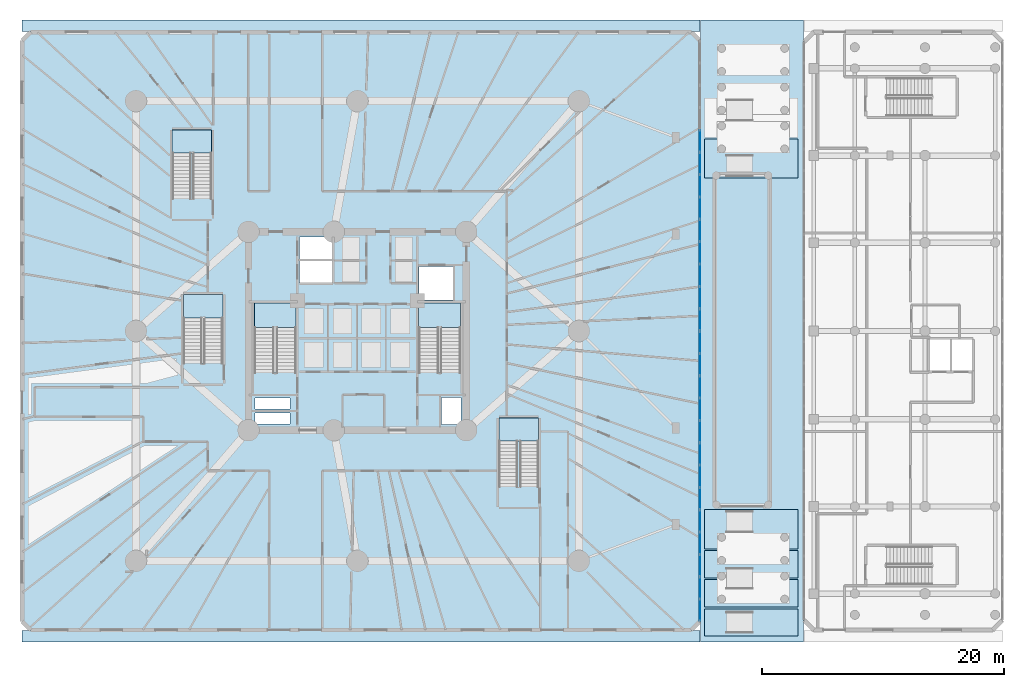
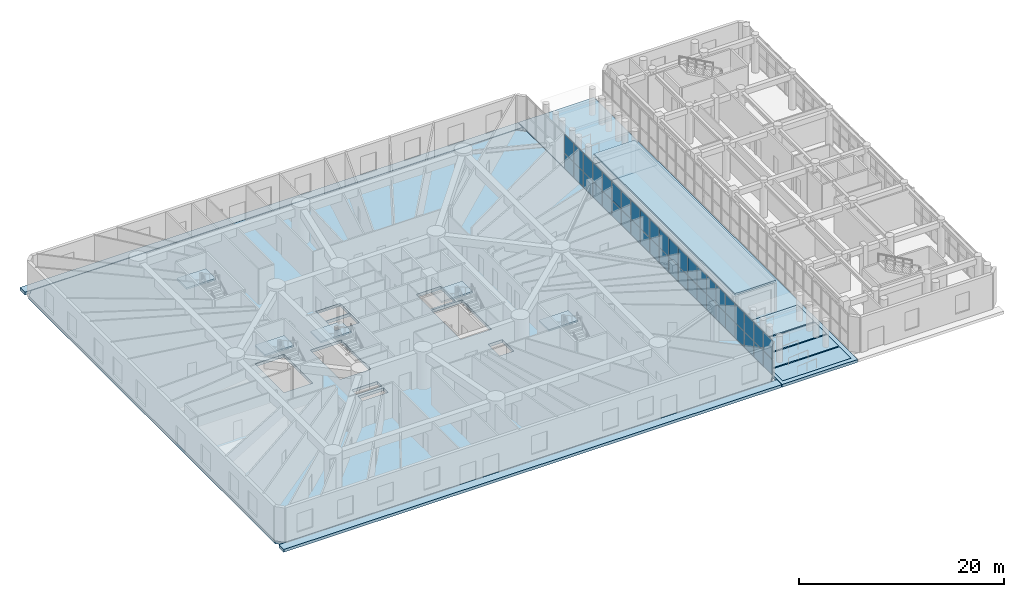
# One storey, part 10 of 30: 44 plates, 15 slabs, 7 elements without a shape of their own.
"""IFC4 building model written with IfcOpenShell, lengths in metres."""

import ifcopenshell
import ifcopenshell.guid

model = None  # the IFC model being written
_history = None  # IfcOwnerHistory: only IFC2X3 demands one
_inside = {}  # id of a spatial element -> (the spatial element, [elements in it])
_under = {}  # id of a project, library or spatial element -> (it, [spatial elements below it])
_declared = {}  # id of a project -> (the project, [libraries it declares])
_typed = {}  # id of a type object -> (the type object, [elements of that type])
_made_of = {}  # id of a material, layer set ... -> (it, [elements and type objects made of it])


def new_model(schema):
    """Start an empty IFC model of exactly this schema.

    Asked for "IFC4X3", IfcOpenShell would pick the latest addendum, in which some entities
    have other attributes; the version numbers below select the first issue.
    IFC2X3 requires an IfcOwnerHistory on every rooted entity: one is made here for all.
    """
    global model, _history
    if schema == "IFC4X3":
        model = ifcopenshell.file(schema_version=(4, 3, 0, 0))
    else:
        model = ifcopenshell.file(schema=schema)
    _inside.clear()
    _under.clear()
    _declared.clear()
    _typed.clear()
    _made_of.clear()
    _history = None
    if model.schema == "IFC2X3":
        org = make("IfcOrganization", Name="unknown")
        user = make(
            "IfcPersonAndOrganization",
            ThePerson=make("IfcPerson", FamilyName="unknown"),
            TheOrganization=org,
        )
        app = make(
            "IfcApplication",
            ApplicationDeveloper=org,
            Version="unknown",
            ApplicationFullName="unknown",
            ApplicationIdentifier="unknown",
        )
        _history = make(
            "IfcOwnerHistory",
            OwningUser=user,
            OwningApplication=app,
            ChangeAction="ADDED",
            CreationDate=0,
        )
    return model


def make(cls, **values):
    """One entity of the class cls with the attributes given. An attribute that is None is left unset."""
    return model.create_entity(
        cls, **{name: value for name, value in values.items() if value is not None}
    )


def rooted(cls, **values):
    """An entity with a GlobalId (a new one), such as an element, a storey or a relation."""
    return make(cls, GlobalId=ifcopenshell.guid.new(), OwnerHistory=_history, **values)


def si_unit(unit_type, name, prefix=None):
    """IfcSIUnit, for example si_unit("LENGTHUNIT", "METRE", prefix="MILLI")."""
    return make("IfcSIUnit", UnitType=unit_type, Prefix=prefix, Name=name)


def assignment(units):
    """IfcUnitAssignment: the units of a project."""
    return None if units is None else make("IfcUnitAssignment", Units=units)


def point(xyz):
    """IfcCartesianPoint."""
    return None if xyz is None else make("IfcCartesianPoint", Coordinates=xyz)


def direction(xyz):
    """IfcDirection."""
    return None if xyz is None else make("IfcDirection", DirectionRatios=xyz)


def frame(location, z_axis=None, x_axis=None):
    """IfcAxis2Placement3D, a coordinate frame: its origin and axes. An axis left out is left unset."""
    return make(
        "IfcAxis2Placement3D",
        Location=point(location),
        Axis=direction(z_axis),
        RefDirection=direction(x_axis),
    )


def frame_2d(location, x_axis=None):
    """IfcAxis2Placement2D, a coordinate frame in the plane: its origin and x axis."""
    return make(
        "IfcAxis2Placement2D", Location=point(location), RefDirection=direction(x_axis)
    )


def origin():
    """The frame at (0, 0, 0) with its axes left unset."""
    return frame((0.0, 0.0, 0.0))


def origin_with_axes():
    """The frame at (0, 0, 0) with the z axis (0, 0, 1) and the x axis (1, 0, 0) written out."""
    return frame((0.0, 0.0, 0.0), z_axis=(0.0, 0.0, 1.0), x_axis=(1.0, 0.0, 0.0))


def origin_2d():
    """The frame at (0, 0) in the plane with its x axis left unset."""
    return frame_2d((0.0, 0.0))


def place(relative_to, where):
    """IfcLocalPlacement: puts the frame where relative to a parent placement (None: the world)."""
    return make(
        "IfcLocalPlacement", PlacementRelTo=relative_to, RelativePlacement=where
    )


def context(
    kind, dimensions, precision=None, world=None, true_north=None, identifier=None
):
    """IfcGeometricRepresentationContext, for example the 3D "Model" context."""
    return make(
        "IfcGeometricRepresentationContext",
        ContextIdentifier=identifier,
        ContextType=kind,
        CoordinateSpaceDimension=dimensions,
        Precision=precision,
        WorldCoordinateSystem=world,
        TrueNorth=true_north,
    )


def subcontext(parent, identifier, kind, view, scale=None):
    """IfcGeometricRepresentationSubContext, for example "Body" below "Model"."""
    return make(
        "IfcGeometricRepresentationSubContext",
        ContextIdentifier=identifier,
        ContextType=kind,
        ParentContext=parent,
        TargetScale=scale,
        TargetView=view,
    )


def project(units=None, contexts=None):
    """IfcProject with its units and contexts."""
    return rooted(
        "IfcProject",
        Name="project",
        RepresentationContexts=contexts,
        UnitsInContext=assignment(units),
    )


def spatial(cls, under=None, at=None, **own):
    """A site, building, storey or space (cls), placed at a placement, below another one or the project."""
    s = rooted(cls, ObjectPlacement=at, **own)
    if under is not None:
        _under.setdefault(under.id(), (under, []))[1].append(s)
    return s


def polyline(points):
    """IfcPolyline through the points."""
    return make("IfcPolyline", Points=[point(p) for p in points])


def profile(cls, at=None, kind="AREA", **sizes):
    """A parametric profile (cls). Its sizes go by their IFC names, for example OverallWidth=200.0."""
    return make(cls, ProfileType=kind, Position=at, **sizes)


def rectangle(**sizes):
    """IfcRectangleProfileDef."""
    return profile("IfcRectangleProfileDef", **sizes)


def outline(outer, holes=None, kind="AREA"):
    """IfcArbitraryClosedProfileDef: a profile drawn as a closed curve; with holes, ...WithVoids."""
    if holes is None:
        return make("IfcArbitraryClosedProfileDef", ProfileType=kind, OuterCurve=outer)
    return make(
        "IfcArbitraryProfileDefWithVoids",
        ProfileType=kind,
        OuterCurve=outer,
        InnerCurves=holes,
    )


def extrude(swept, where, along, depth):
    """IfcExtrudedAreaSolid: the profile swept, set in the frame where, extruded along a direction by depth."""
    return make(
        "IfcExtrudedAreaSolid",
        SweptArea=swept,
        Position=where,
        ExtrudedDirection=direction(along),
        Depth=depth,
    )


def shape(context_of_items, identifier, shape_type, items):
    """IfcShapeRepresentation: the items that make up one representation, for example the "Body"."""
    return make(
        "IfcShapeRepresentation",
        ContextOfItems=context_of_items,
        RepresentationIdentifier=identifier,
        RepresentationType=shape_type,
        Items=items,
    )


def source(mapping_origin, context_of_items, identifier, shape_type, items):
    """IfcRepresentationMap: a shape defined once, which mapped items show again and again."""
    return make(
        "IfcRepresentationMap",
        MappingOrigin=mapping_origin,
        MappedRepresentation=shape(context_of_items, identifier, shape_type, items),
    )


def transform(
    local_origin,
    x_axis=None,
    y_axis=None,
    z_axis=None,
    scale=None,
    scale2=None,
    scale3=None,
    uniform=True,
):
    """IfcCartesianTransformationOperator3D, or its non-uniform kind. x_axis, y_axis, z_axis: its Axis1, 2, 3."""
    if uniform:
        return make(
            "IfcCartesianTransformationOperator3D",
            Axis1=direction(x_axis),
            Axis2=direction(y_axis),
            LocalOrigin=point(local_origin),
            Scale=scale,
            Axis3=direction(z_axis),
        )
    return make(
        "IfcCartesianTransformationOperator3DnonUniform",
        Axis1=direction(x_axis),
        Axis2=direction(y_axis),
        LocalOrigin=point(local_origin),
        Scale=scale,
        Axis3=direction(z_axis),
        Scale2=scale2,
        Scale3=scale3,
    )


def mapped(mapping_source, mapping_target):
    """IfcMappedItem: shows the shape of a source again, moved by a transform."""
    return make(
        "IfcMappedItem", MappingSource=mapping_source, MappingTarget=mapping_target
    )


def material(Name=None, Category=None):
    """IfcMaterial."""
    return make("IfcMaterial", Name=Name, Category=Category)


def layer(
    of_material, thickness, ventilated=None, Name=None, Category=None, Priority=None
):
    """IfcMaterialLayer: one layer of a wall or slab, of a material (None: an air gap)."""
    return make(
        "IfcMaterialLayer",
        Material=of_material,
        LayerThickness=thickness,
        IsVentilated=ventilated,
        Name=Name,
        Category=Category,
        Priority=Priority,
    )


def layer_set(layers, Name=None):
    """IfcMaterialLayerSet."""
    return make("IfcMaterialLayerSet", MaterialLayers=layers, LayerSetName=Name)


def made_of(thing, what):
    """Note that an element or type object is made of a material, layer set ...; save() writes the relation."""
    if what is not None:
        _made_of.setdefault(what.id(), (what, []))[1].append(thing)
    return thing


def type_object(cls, material=None, **own):
    """A type object (cls), such as IfcWallType, which elements share."""
    return made_of(rooted(cls, **own), material)


def element(
    cls,
    number,
    at=None,
    inside=None,
    cuts=None,
    type_object=None,
    material=None,
    context=None,
    identifier="Body",
    shape_type=None,
    held_by="IfcProductDefinitionShape",
    body=None,
    shapes=None,
    **own,
):
    """One element of the class cls, such as IfcWall. Its Tag is "e" and its number.

    at: its placement. inside: the storey or other place that contains it. cuts: it is an
    opening in that element (IfcRelVoidsElement). A single representation is given by context,
    identifier, shape_type and body (its items); several are given by shapes. held_by: the class
    of the entity that holds the representations. save() writes the other relations.
    """
    e = rooted(cls, Tag="e%d" % number, ObjectPlacement=at, **own)
    if body is not None:
        shapes = [shape(context, identifier, shape_type, body)]
    if shapes is not None:
        e.Representation = make(held_by, Representations=shapes)
    if inside is not None:
        _inside.setdefault(inside.id(), (inside, []))[1].append(e)
    if cuts is not None:
        rooted(
            "IfcRelVoidsElement", RelatingBuildingElement=cuts, RelatedOpeningElement=e
        )
    if type_object is not None:
        _typed.setdefault(type_object.id(), (type_object, []))[1].append(e)
    return made_of(e, material)


def aggregate(whole, parts):
    """IfcRelAggregates: a whole, such as a stair, and the parts it consists of."""
    return rooted("IfcRelAggregates", RelatingObject=whole, RelatedObjects=parts)


def save(model, path):
    """Write the relations noted so far, then the file.

    IfcRelAggregates (storeys below a building ...), IfcRelContainedInSpatialStructure (elements
    in a storey), IfcRelDefinesByType, IfcRelAssociatesMaterial and IfcRelDeclares: one each for
    every whole, place, type object, material and project.
    """
    for whole, parts in _under.values():
        aggregate(whole, parts)
    for where, things in _inside.values():
        rooted(
            "IfcRelContainedInSpatialStructure",
            RelatedElements=things,
            RelatingStructure=where,
        )
    for kind, things in _typed.values():
        rooted("IfcRelDefinesByType", RelatedObjects=things, RelatingType=kind)
    for what, things in _made_of.values():
        rooted("IfcRelAssociatesMaterial", RelatedObjects=things, RelatingMaterial=what)
    for by, libraries in _declared.values():
        rooted("IfcRelDeclares", RelatingContext=by, RelatedDefinitions=libraries)
    model.write(path)


model = new_model("IFC4")

# Units and contexts
model_context = context("Model", 3, precision=1e-05, world=origin(), true_north=direction((0.0, 1.0)))
body_context = subcontext(model_context, "Body", "Model", "MODEL_VIEW")
ifc_project = project(units=[si_unit("LENGTHUNIT", "METRE"), si_unit("AREAUNIT", "SQUARE_METRE"), si_unit("VOLUMEUNIT", "CUBIC_METRE"), si_unit("PLANEANGLEUNIT", "RADIAN"), si_unit("MASSUNIT", "GRAM", prefix="KILO")], contexts=[model_context])

# Site, building, storey
site_placement = place(None, origin())
site = spatial("IfcSite", under=ifc_project, at=site_placement, CompositionType="ELEMENT")
building_placement = place(site_placement, origin())
building = spatial("IfcBuilding", under=site, at=building_placement, Name="Karkom Vertical University and Central Library", CompositionType="ELEMENT")
storey_placement = place(building_placement, origin())
storey = spatial("IfcBuildingStorey", under=building, at=storey_placement, Name="L00", CompositionType="ELEMENT", Elevation=0.0)

# Stair, slab
ifc_material_1 = material(Name="Concrete C45/55", Category="concrete")
stair_type_1 = type_object("IfcStairType", Name="INT-STR-ST-MAIN", PredefinedType="HALF_TURN_STAIR", material=ifc_material_1)
stair_1_placement = place(storey_placement, origin())
stair_1 = element("IfcStair", 1, at=stair_1_placement, inside=storey, type_object=stair_type_1, Name="Level 00 Tower Protected Exit Stair ST-1", PredefinedType="HALF_TURN_STAIR")
ifc_layer_1 = layer(ifc_material_1, 0.199951171875)
ifc_layer_set_1 = layer_set([ifc_layer_1], Name="Concrete C45/55")
slab_type_1 = type_object("IfcSlabType", Name="INT-SLB-LANDING", PredefinedType="LANDING", material=ifc_layer_set_1)
slab_1_placement = place(storey_placement, frame((0.0, 0.0, 2.050048828125)))
slab_1 = element("IfcSlab", 2, at=slab_1_placement, type_object=slab_type_1, Name="ST-1 landing 1", PredefinedType="LANDING", context=body_context, shape_type="SweptSolid", body=[
    extrude(outline(polyline([(23.43994140625, 26.7900390625), (23.43994140625, 28.820068359375), (19.97998046875, 28.820068359375), (19.97998046875, 26.7900390625), (23.43994140625, 26.7900390625)])), origin(), (0.0, 0.0, 1.0), 0.199951171875),
])
aggregate(stair_1, [slab_1])

stair_2_placement = place(storey_placement, origin())
stair_2 = element("IfcStair", 3, at=stair_2_placement, inside=storey, type_object=stair_type_1, Name="Level 00 Tower Protected Exit Stair ST-2", PredefinedType="HALF_TURN_STAIR")
slab_2_placement = place(storey_placement, frame((0.0, 0.0, 2.050048828125)))
slab_2 = element("IfcSlab", 4, at=slab_2_placement, type_object=slab_type_1, Name="ST-2 landing 1", PredefinedType="LANDING", context=body_context, shape_type="SweptSolid", body=[
    extrude(outline(polyline([(37.02001953125, 26.7900390625), (37.02001953125, 28.820068359375), (33.56005859375, 28.820068359375), (33.56005859375, 26.7900390625), (37.02001953125, 26.7900390625)])), origin(), (0.0, 0.0, 1.0), 0.199951171875),
])
aggregate(stair_2, [slab_2])

stair_type_2 = type_object("IfcStairType", Name="INT-STR-ST-SEC", PredefinedType="HALF_TURN_STAIR", material=ifc_material_1)
stair_3_placement = place(storey_placement, origin())
stair_3 = element("IfcStair", 5, at=stair_3_placement, inside=storey, type_object=stair_type_2, Name="Level 00 Academic Zone Protected Exit Stair ST-3", PredefinedType="HALF_TURN_STAIR")
slab_3_placement = place(storey_placement, frame((0.0, 0.0, 2.050048828125)))
slab_3 = element("IfcSlab", 6, at=slab_3_placement, type_object=slab_type_1, Name="ST-3 landing 1", PredefinedType="LANDING", context=body_context, shape_type="SweptSolid", body=[
    extrude(outline(polyline([(17.3798828125, 27.570068359375), (17.3798828125, 29.5), (14.1201171875, 29.5), (14.1201171875, 27.570068359375), (17.3798828125, 27.570068359375)])), origin(), (0.0, 0.0, 1.0), 0.199951171875),
])
aggregate(stair_3, [slab_3])

stair_4_placement = place(storey_placement, origin())
stair_4 = element("IfcStair", 7, at=stair_4_placement, inside=storey, type_object=stair_type_2, Name="Level 00 Podium Terraced Feature Stair POD-ST1", PredefinedType="HALF_TURN_STAIR")
slab_4_placement = place(storey_placement, frame((0.0, 0.0, 2.050048828125)))
slab_4 = element("IfcSlab", 8, at=slab_4_placement, type_object=slab_type_1, Name="POD-ST1 landing 1", PredefinedType="LANDING", context=body_context, shape_type="SweptSolid", body=[
    extrude(outline(polyline([(43.4599609375, 17.39990234375), (43.4599609375, 19.330078125), (40.199951171875, 19.330078125), (40.199951171875, 17.39990234375), (43.4599609375, 17.39990234375)])), origin(), (0.0, 0.0, 1.0), 0.199951171875),
])
aggregate(stair_4, [slab_4])

stair_5_placement = place(storey_placement, origin())
stair_5 = element("IfcStair", 9, at=stair_5_placement, inside=storey, type_object=stair_type_2, Name="Level 00 Podium Gallery Stair POD-ST2", PredefinedType="HALF_TURN_STAIR")
slab_5_placement = place(storey_placement, frame((0.0, 0.0, 2.050048828125)))
slab_5 = element("IfcSlab", 10, at=slab_5_placement, type_object=slab_type_1, Name="POD-ST2 landing 1", PredefinedType="LANDING", context=body_context, shape_type="SweptSolid", body=[
    extrude(outline(polyline([(16.4599609375, 41.199951171875), (16.4599609375, 43.1298828125), (13.199951171875, 43.1298828125), (13.199951171875, 41.199951171875), (16.4599609375, 41.199951171875)])), origin(), (0.0, 0.0, 1.0), 0.199951171875),
])
aggregate(stair_5, [slab_5])

# Slabs
ifc_material_2 = material(Name="Concrete C40/50", Category="concrete")
ifc_layer_2 = layer(ifc_material_2, 0.344970703125)
ifc_layer_set_2 = layer_set([ifc_layer_2], Name="Concrete C40/50")
slab_type_2 = type_object("IfcSlabType", Name="STR-SLB-APR-180", PredefinedType="USERDEFINED", material=ifc_layer_set_2)
slab_6_placement = place(storey_placement, frame((0.0, 0.0, -0.344970703125)))
element("IfcSlab", 11, at=slab_6_placement, inside=storey, type_object=slab_type_2, Name="Level 00 Central Court Driveway Approach Slab 1", ObjectType="APPROACH SLAB", PredefinedType="USERDEFINED", context=body_context, shape_type="SweptSolid", body=[
    extrude(outline(polyline([(57.199951171875, 1.300048828125), (64.89990234375, 1.300048828125), (64.89990234375, 3.550048828125), (57.199951171875, 3.550048828125), (57.199951171875, 1.300048828125)])), origin(), (0.0, 0.0, 1.0), 0.344970703125),
])
slab_7_placement = place(storey_placement, frame((0.0, 0.0, -0.344970703125)))
element("IfcSlab", 12, at=slab_7_placement, inside=storey, type_object=slab_type_2, Name="Level 00 Central Court Driveway Approach Slab 2", ObjectType="APPROACH SLAB", PredefinedType="USERDEFINED", context=body_context, shape_type="SweptSolid", body=[
    extrude(outline(polyline([(57.199951171875, 3.699951171875), (64.89990234375, 3.699951171875), (64.89990234375, 5.949951171875), (57.199951171875, 5.949951171875), (57.199951171875, 3.699951171875)])), origin(), (0.0, 0.0, 1.0), 0.344970703125),
])
slab_8_placement = place(storey_placement, frame((0.0, 0.0, -0.344970703125)))
element("IfcSlab", 13, at=slab_8_placement, inside=storey, type_object=slab_type_2, Name="Level 00 Central Court Driveway Approach Slab 3", ObjectType="APPROACH SLAB", PredefinedType="USERDEFINED", context=body_context, shape_type="SweptSolid", body=[
    extrude(outline(polyline([(57.199951171875, 6.10009765625), (64.89990234375, 6.10009765625), (64.89990234375, 8.35009765625), (57.199951171875, 8.35009765625), (57.199951171875, 6.10009765625)])), origin(), (0.0, 0.0, 1.0), 0.344970703125),
])
slab_9_placement = place(storey_placement, frame((0.0, 0.0, -0.344970703125)))
element("IfcSlab", 14, at=slab_9_placement, inside=storey, type_object=slab_type_2, Name="Level 00 Central Court Driveway Approach Slab 4", ObjectType="APPROACH SLAB", PredefinedType="USERDEFINED", context=body_context, shape_type="SweptSolid", body=[
    extrude(outline(polyline([(57.199951171875, 8.5), (64.89990234375, 8.5), (64.89990234375, 11.75), (57.199951171875, 11.75), (57.199951171875, 8.5)])), origin(), (0.0, 0.0, 1.0), 0.344970703125),
])
slab_10_placement = place(storey_placement, frame((0.0, 0.0, -0.344970703125)))
element("IfcSlab", 15, at=slab_10_placement, inside=storey, type_object=slab_type_2, Name="Level 00 Central Court Driveway Approach Slab 5", ObjectType="APPROACH SLAB", PredefinedType="USERDEFINED", context=body_context, shape_type="SweptSolid", body=[
    extrude(outline(polyline([(57.199951171875, 39.14990234375), (64.89990234375, 39.14990234375), (64.89990234375, 42.35009765625), (57.199951171875, 42.35009765625), (57.199951171875, 39.14990234375)])), origin(), (0.0, 0.0, 1.0), 0.344970703125),
])
ifc_layer_3 = layer(ifc_material_1, 0.239990234375)
ifc_layer_set_3 = layer_set([ifc_layer_3], Name="Concrete C45/55")
slab_type_3 = type_object("IfcSlabType", Name="STR-SLB-CRN-240", PredefinedType="ROOF", material=ifc_layer_set_3)
slab_11_placement = place(storey_placement, frame((0.0, 0.0, 3.360107421875)))
element("IfcSlab", 16, at=slab_11_placement, inside=storey, type_object=slab_type_3, Name="Level 00 Car Park Ramp Pavilion Roof Slab", PredefinedType="ROOF", context=body_context, shape_type="SweptSolid", body=[
    extrude(outline(polyline([(58.0, 12.0), (62.60009765625, 12.0), (62.60009765625, 39.5), (58.0, 39.5), (58.0, 12.0)])), origin(), (0.0, 0.0, 1.0), 0.239990234375),
])
ifc_material_3 = material(Name="Concrete C50/60", Category="concrete")
ifc_layer_4 = layer(ifc_material_3, 0.35009765625)
ifc_layer_set_4 = layer_set([ifc_layer_4], Name="Concrete C50/60")
slab_type_4 = type_object("IfcSlabType", Name="STR-SLB-FLR-350", PredefinedType="FLOOR", material=ifc_layer_set_4)
slab_12_placement = place(storey_placement, frame((0.0, 0.0, -0.35009765625)))
element("IfcSlab", 17, at=slab_12_placement, inside=storey, type_object=slab_type_4, Name="Level 00 Tower Podium Floor Slab", PredefinedType="FLOOR", context=body_context, shape_type="SweptSolid", body=[
    extrude(outline(polyline([(1.5, 1.800048828125), (56.10009765625, 1.800048828125), (56.800048828125, 2.5), (56.800048828125, 50.5), (56.10009765625, 51.199951171875), (1.5, 51.199951171875), (0.800048828125, 50.5), (0.800048828125, 2.5), (1.5, 1.800048828125)]), holes=[polyline([(19.97998046875, 23.0849609375), (23.43994140625, 23.0849609375), (23.43994140625, 28.820068359375), (19.97998046875, 28.820068359375), (19.97998046875, 23.0849609375)]), polyline([(33.56005859375, 23.0849609375), (37.02001953125, 23.0849609375), (37.02001953125, 28.820068359375), (33.56005859375, 28.820068359375), (33.56005859375, 23.0849609375)]), polyline([(14.1201171875, 23.864990234375), (17.3798828125, 23.864990234375), (17.3798828125, 29.5), (14.1201171875, 29.5), (14.1201171875, 23.864990234375)]), polyline([(23.719970703125, 30.47998046875), (26.429931640625, 30.47998046875), (26.429931640625, 32.320068359375), (23.719970703125, 32.320068359375), (23.719970703125, 30.47998046875)]), polyline([(23.719970703125, 32.419921875), (26.429931640625, 32.419921875), (26.429931640625, 34.260009765625), (23.719970703125, 34.260009765625), (23.719970703125, 32.419921875)]), polyline([(33.60009765625, 29.050048828125), (36.39990234375, 29.050048828125), (36.39990234375, 31.85009765625), (33.60009765625, 31.85009765625), (33.60009765625, 29.050048828125)]), polyline([(20.050048828125, 18.820068359375), (22.949951171875, 18.820068359375), (22.949951171875, 19.719970703125), (20.050048828125, 19.719970703125), (20.050048828125, 18.820068359375)]), polyline([(20.050048828125, 20.06005859375), (22.949951171875, 20.06005859375), (22.949951171875, 20.9599609375), (20.050048828125, 20.9599609375), (20.050048828125, 20.06005859375)]), polyline([(35.4599609375, 18.760009765625), (37.0400390625, 18.760009765625), (37.0400390625, 21.010009765625), (35.4599609375, 21.010009765625), (35.4599609375, 18.760009765625)])]), origin(), (0.0, 0.0, 1.0), 0.35009765625),
])
ifc_layer_5 = layer(ifc_material_2, 0.340087890625)
ifc_layer_set_5 = layer_set([ifc_layer_5], Name="Concrete C40/50")
slab_type_5 = type_object("IfcSlabType", Name="STR-SLB-PAV-190", PredefinedType="USERDEFINED", material=ifc_layer_set_5)
slab_13_placement = place(storey_placement, frame((0.0, 0.0, -0.340087890625)))
element("IfcSlab", 18, at=slab_13_placement, inside=storey, type_object=slab_type_5, Name="Level 00 Campus Forecourt Stone Plaza PLAZA-CENTRAL-COURT", ObjectType="PAVING", PredefinedType="USERDEFINED", context=body_context, shape_type="SweptSolid", body=[
    extrude(outline(polyline([(56.85009765625, 0.800048828125), (56.85009765625, 52.199951171875), (65.35009765625, 52.199951171875), (65.35009765625, 0.800048828125), (56.85009765625, 0.800048828125)])), origin(), (0.0, 0.0, 1.0), 0.340087890625),
])
slab_14_placement = place(storey_placement, frame((0.0, 0.0, -0.340087890625)))
element("IfcSlab", 19, at=slab_14_placement, inside=storey, type_object=slab_type_5, Name="Level 00 Campus Forecourt Stone Plaza PLAZA-SOUTH-FORECOURT", ObjectType="PAVING", PredefinedType="USERDEFINED", context=body_context, shape_type="SweptSolid", body=[
    extrude(outline(polyline([(56.800048828125, 1.760009765625), (56.800048828125, 0.800048828125), (0.800048828125, 0.800048828125), (0.800048828125, 1.760009765625), (1.4833984375, 1.760009765625), (56.11669921875, 1.760009765625), (56.800048828125, 1.760009765625)])), origin(), (0.0, 0.0, 1.0), 0.340087890625),
])
slab_15_placement = place(storey_placement, frame((0.0, 0.0, -0.340087890625)))
element("IfcSlab", 20, at=slab_15_placement, inside=storey, type_object=slab_type_5, Name="Level 00 Campus Forecourt Stone Plaza PLAZA-NORTH-TOWER", ObjectType="PAVING", PredefinedType="USERDEFINED", context=body_context, shape_type="SweptSolid", body=[
    extrude(outline(polyline([(0.800048828125, 51.239990234375), (0.800048828125, 52.199951171875), (56.800048828125, 52.199951171875), (56.800048828125, 51.239990234375), (56.11669921875, 51.239990234375), (1.4833984375, 51.239990234375), (0.800048828125, 51.239990234375)])), origin(), (0.0, 0.0, 1.0), 0.340087890625),
])

# Curtain wall, plates
ifc_material_4 = material(Name="Aluminium curtain-wall framing and low-E IGU", Category="aluminium")
ifc_layer_6 = layer(ifc_material_4, 0.199951171875)
ifc_layer_set_6 = layer_set([ifc_layer_6], Name="Aluminium curtain-wall framing and low-E IGU")
curtain_wall_type = type_object("IfcCurtainWallType", Name="ENV-CW-3", PredefinedType="USERDEFINED", material=ifc_layer_set_6)
curtain_wall_1_placement = place(storey_placement, origin())
curtain_wall_1 = element("IfcCurtainWall", 21, at=curtain_wall_1_placement, inside=storey, type_object=curtain_wall_type, Name="Level 00 CW-3 Curtain Wall L00-CW3-3-1", ObjectType="STICK MULLION GLAZING", PredefinedType="USERDEFINED")
ifc_material_5 = material(Name="Solar-control low-E double glazing 32mm", Category="glass")
ifc_layer_7 = layer(ifc_material_5, 0.031982421875)
ifc_layer_set_7 = layer_set([ifc_layer_7], Name="Solar-control low-E double glazing 32mm")
plate_type = type_object("IfcPlateType", Name="ENV-PLT-GLZ-32", PredefinedType="CURTAIN_PANEL", material=ifc_layer_set_7)
shared_shape_1 = source(origin_with_axes(), body_context, "Body", "SweptSolid", [
    extrude(rectangle(XDim=1.733642578125, YDim=0.031982421875, at=origin_2d()), origin(), (0.0, 0.0, 1.0), 1.777587890625),
])
plate_1_placement = place(storey_placement, frame((56.800048828125, 3.44189453125, 0.0751953125), z_axis=(0.0, 0.0, 1.0), x_axis=(0.0, 1.0, 0.0)))
plate_1 = element("IfcPlate", 22, at=plate_1_placement, type_object=plate_type, Name="CW-3 panel 1.1", PredefinedType="CURTAIN_PANEL", context=body_context, shape_type="MappedRepresentation", body=[
    mapped(shared_shape_1, transform((0.0, 0.0, 0.0), scale=1.0)),
])
plate_2_placement = place(storey_placement, frame((56.800048828125, 25.55810546875, 0.0751953125), z_axis=(0.0, 0.0, 1.0), x_axis=(0.0, 1.0, 0.0)))
plate_2 = element("IfcPlate", 23, at=plate_2_placement, type_object=plate_type, Name="CW-3 panel 13.1", PredefinedType="CURTAIN_PANEL", context=body_context, shape_type="MappedRepresentation", body=[
    mapped(shared_shape_1, transform((0.0, 0.0, 0.0), scale=1.0)),
])

# Curtain wall, plate
curtain_wall_2_placement = place(storey_placement, origin())
curtain_wall_2 = element("IfcCurtainWall", 24, at=curtain_wall_2_placement, inside=storey, type_object=curtain_wall_type, Name="Level 00 CW-3 Curtain Wall L00-CW3-3-2", ObjectType="STICK MULLION GLAZING", PredefinedType="USERDEFINED")
plate_3_placement = place(storey_placement, frame((56.800048828125, 27.44189453125, 0.0751953125), z_axis=(0.0, 0.0, 1.0), x_axis=(0.0, 1.0, 0.0)))
plate_3 = element("IfcPlate", 25, at=plate_3_placement, type_object=plate_type, Name="CW-3 panel 1.1", PredefinedType="CURTAIN_PANEL", context=body_context, shape_type="MappedRepresentation", body=[
    mapped(shared_shape_1, transform((0.0, 0.0, 0.0), scale=1.0)),
])

# Plate
shared_shape_2 = source(origin_with_axes(), body_context, "Body", "SweptSolid", [
    extrude(rectangle(XDim=1.733642578125, YDim=0.031982421875, at=origin_2d()), origin(), (0.0, 0.0, 1.0), 2.197509765625),
])
plate_4_placement = place(storey_placement, frame((56.800048828125, 3.44189453125, 1.927734375), z_axis=(0.0, 0.0, 1.0), x_axis=(0.0, 1.0, 0.0)))
plate_4 = element("IfcPlate", 26, at=plate_4_placement, type_object=plate_type, Name="CW-3 panel 1.2", PredefinedType="CURTAIN_PANEL", context=body_context, shape_type="MappedRepresentation", body=[
    mapped(shared_shape_2, transform((0.0, 0.0, 0.0), scale=1.0)),
])

plate_5_placement = place(storey_placement, frame((56.800048828125, 25.55810546875, 1.927734375), z_axis=(0.0, 0.0, 1.0), x_axis=(0.0, 1.0, 0.0)))
plate_5 = element("IfcPlate", 27, at=plate_5_placement, type_object=plate_type, Name="CW-3 panel 13.2", PredefinedType="CURTAIN_PANEL", context=body_context, shape_type="MappedRepresentation", body=[
    mapped(shared_shape_2, transform((0.0, 0.0, 0.0), scale=1.0)),
])

plate_6_placement = place(storey_placement, frame((56.800048828125, 27.44189453125, 1.927734375), z_axis=(0.0, 0.0, 1.0), x_axis=(0.0, 1.0, 0.0)))
plate_6 = element("IfcPlate", 28, at=plate_6_placement, type_object=plate_type, Name="CW-3 panel 1.2", PredefinedType="CURTAIN_PANEL", context=body_context, shape_type="MappedRepresentation", body=[
    mapped(shared_shape_2, transform((0.0, 0.0, 0.0), scale=1.0)),
])

shared_shape_3 = source(origin_with_axes(), body_context, "Body", "SweptSolid", [
    extrude(rectangle(XDim=1.771240234375, YDim=0.031982421875, at=origin_2d()), origin(), (0.0, 0.0, 1.0), 1.777587890625),
])
plate_7_placement = place(storey_placement, frame((56.800048828125, 5.269287109375, 0.0751953125), z_axis=(0.0, 0.0, 1.0), x_axis=(0.0, 1.0, 0.0)))
plate_7 = element("IfcPlate", 29, at=plate_7_placement, type_object=plate_type, Name="CW-3 panel 2.1", PredefinedType="CURTAIN_PANEL", context=body_context, shape_type="MappedRepresentation", body=[
    mapped(shared_shape_3, transform((0.0, 0.0, 0.0), scale=1.0)),
])

plate_8_placement = place(storey_placement, frame((56.800048828125, 7.115478515625, 0.0751953125), z_axis=(0.0, 0.0, 1.0), x_axis=(0.0, 1.0, 0.0)))
plate_8 = element("IfcPlate", 30, at=plate_8_placement, type_object=plate_type, Name="CW-3 panel 3.1", PredefinedType="CURTAIN_PANEL", context=body_context, shape_type="MappedRepresentation", body=[
    mapped(shared_shape_3, transform((0.0, 0.0, 0.0), scale=1.0)),
])

plate_9_placement = place(storey_placement, frame((56.800048828125, 8.96142578125, 0.0751953125), z_axis=(0.0, 0.0, 1.0), x_axis=(0.0, 1.0, 0.0)))
plate_9 = element("IfcPlate", 31, at=plate_9_placement, type_object=plate_type, Name="CW-3 panel 4.1", PredefinedType="CURTAIN_PANEL", context=body_context, shape_type="MappedRepresentation", body=[
    mapped(shared_shape_3, transform((0.0, 0.0, 0.0), scale=1.0)),
])

plate_10_placement = place(storey_placement, frame((56.800048828125, 10.8076171875, 0.0751953125), z_axis=(0.0, 0.0, 1.0), x_axis=(0.0, 1.0, 0.0)))
plate_10 = element("IfcPlate", 32, at=plate_10_placement, type_object=plate_type, Name="CW-3 panel 5.1", PredefinedType="CURTAIN_PANEL", context=body_context, shape_type="MappedRepresentation", body=[
    mapped(shared_shape_3, transform((0.0, 0.0, 0.0), scale=1.0)),
])

plate_11_placement = place(storey_placement, frame((56.800048828125, 12.65380859375, 0.0751953125), z_axis=(0.0, 0.0, 1.0), x_axis=(0.0, 1.0, 0.0)))
plate_11 = element("IfcPlate", 33, at=plate_11_placement, type_object=plate_type, Name="CW-3 panel 6.1", PredefinedType="CURTAIN_PANEL", context=body_context, shape_type="MappedRepresentation", body=[
    mapped(shared_shape_3, transform((0.0, 0.0, 0.0), scale=1.0)),
])

plate_12_placement = place(storey_placement, frame((56.800048828125, 14.5, 0.0751953125), z_axis=(0.0, 0.0, 1.0), x_axis=(0.0, 1.0, 0.0)))
plate_12 = element("IfcPlate", 34, at=plate_12_placement, type_object=plate_type, Name="CW-3 panel 7.1", PredefinedType="CURTAIN_PANEL", context=body_context, shape_type="MappedRepresentation", body=[
    mapped(shared_shape_3, transform((0.0, 0.0, 0.0), scale=1.0)),
])

plate_13_placement = place(storey_placement, frame((56.800048828125, 16.34619140625, 0.0751953125), z_axis=(0.0, 0.0, 1.0), x_axis=(0.0, 1.0, 0.0)))
plate_13 = element("IfcPlate", 35, at=plate_13_placement, type_object=plate_type, Name="CW-3 panel 8.1", PredefinedType="CURTAIN_PANEL", context=body_context, shape_type="MappedRepresentation", body=[
    mapped(shared_shape_3, transform((0.0, 0.0, 0.0), scale=1.0)),
])

plate_14_placement = place(storey_placement, frame((56.800048828125, 18.1923828125, 0.0751953125), z_axis=(0.0, 0.0, 1.0), x_axis=(0.0, 1.0, 0.0)))
plate_14 = element("IfcPlate", 36, at=plate_14_placement, type_object=plate_type, Name="CW-3 panel 9.1", PredefinedType="CURTAIN_PANEL", context=body_context, shape_type="MappedRepresentation", body=[
    mapped(shared_shape_3, transform((0.0, 0.0, 0.0), scale=1.0)),
])

plate_15_placement = place(storey_placement, frame((56.800048828125, 20.03857421875, 0.0751953125), z_axis=(0.0, 0.0, 1.0), x_axis=(0.0, 1.0, 0.0)))
plate_15 = element("IfcPlate", 37, at=plate_15_placement, type_object=plate_type, Name="CW-3 panel 10.1", PredefinedType="CURTAIN_PANEL", context=body_context, shape_type="MappedRepresentation", body=[
    mapped(shared_shape_3, transform((0.0, 0.0, 0.0), scale=1.0)),
])

plate_16_placement = place(storey_placement, frame((56.800048828125, 21.884521484375, 0.0751953125), z_axis=(0.0, 0.0, 1.0), x_axis=(0.0, 1.0, 0.0)))
plate_16 = element("IfcPlate", 38, at=plate_16_placement, type_object=plate_type, Name="CW-3 panel 11.1", PredefinedType="CURTAIN_PANEL", context=body_context, shape_type="MappedRepresentation", body=[
    mapped(shared_shape_3, transform((0.0, 0.0, 0.0), scale=1.0)),
])

plate_17_placement = place(storey_placement, frame((56.800048828125, 23.730712890625, 0.0751953125), z_axis=(0.0, 0.0, 1.0), x_axis=(0.0, 1.0, 0.0)))
plate_17 = element("IfcPlate", 39, at=plate_17_placement, type_object=plate_type, Name="CW-3 panel 12.1", PredefinedType="CURTAIN_PANEL", context=body_context, shape_type="MappedRepresentation", body=[
    mapped(shared_shape_3, transform((0.0, 0.0, 0.0), scale=1.0)),
])

plate_18_placement = place(storey_placement, frame((56.800048828125, 29.269287109375, 0.0751953125), z_axis=(0.0, 0.0, 1.0), x_axis=(0.0, 1.0, 0.0)))
plate_18 = element("IfcPlate", 40, at=plate_18_placement, type_object=plate_type, Name="CW-3 panel 2.1", PredefinedType="CURTAIN_PANEL", context=body_context, shape_type="MappedRepresentation", body=[
    mapped(shared_shape_3, transform((0.0, 0.0, 0.0), scale=1.0)),
])

plate_19_placement = place(storey_placement, frame((56.800048828125, 31.115478515625, 0.0751953125), z_axis=(0.0, 0.0, 1.0), x_axis=(0.0, 1.0, 0.0)))
plate_19 = element("IfcPlate", 41, at=plate_19_placement, type_object=plate_type, Name="CW-3 panel 3.1", PredefinedType="CURTAIN_PANEL", context=body_context, shape_type="MappedRepresentation", body=[
    mapped(shared_shape_3, transform((0.0, 0.0, 0.0), scale=1.0)),
])

plate_20_placement = place(storey_placement, frame((56.800048828125, 32.96142578125, 0.0751953125), z_axis=(0.0, 0.0, 1.0), x_axis=(0.0, 1.0, 0.0)))
plate_20 = element("IfcPlate", 42, at=plate_20_placement, type_object=plate_type, Name="CW-3 panel 4.1", PredefinedType="CURTAIN_PANEL", context=body_context, shape_type="MappedRepresentation", body=[
    mapped(shared_shape_3, transform((0.0, 0.0, 0.0), scale=1.0)),
])

plate_21_placement = place(storey_placement, frame((56.800048828125, 34.8076171875, 0.0751953125), z_axis=(0.0, 0.0, 1.0), x_axis=(0.0, 1.0, 0.0)))
plate_21 = element("IfcPlate", 43, at=plate_21_placement, type_object=plate_type, Name="CW-3 panel 5.1", PredefinedType="CURTAIN_PANEL", context=body_context, shape_type="MappedRepresentation", body=[
    mapped(shared_shape_3, transform((0.0, 0.0, 0.0), scale=1.0)),
])

plate_22_placement = place(storey_placement, frame((56.800048828125, 36.65380859375, 0.0751953125), z_axis=(0.0, 0.0, 1.0), x_axis=(0.0, 1.0, 0.0)))
plate_22 = element("IfcPlate", 44, at=plate_22_placement, type_object=plate_type, Name="CW-3 panel 6.1", PredefinedType="CURTAIN_PANEL", context=body_context, shape_type="MappedRepresentation", body=[
    mapped(shared_shape_3, transform((0.0, 0.0, 0.0), scale=1.0)),
])

plate_23_placement = place(storey_placement, frame((56.800048828125, 38.5, 0.0751953125), z_axis=(0.0, 0.0, 1.0), x_axis=(0.0, 1.0, 0.0)))
plate_23 = element("IfcPlate", 45, at=plate_23_placement, type_object=plate_type, Name="CW-3 panel 7.1", PredefinedType="CURTAIN_PANEL", context=body_context, shape_type="MappedRepresentation", body=[
    mapped(shared_shape_3, transform((0.0, 0.0, 0.0), scale=1.0)),
])

plate_24_placement = place(storey_placement, frame((56.800048828125, 40.34619140625, 0.0751953125), z_axis=(0.0, 0.0, 1.0), x_axis=(0.0, 1.0, 0.0)))
plate_24 = element("IfcPlate", 46, at=plate_24_placement, type_object=plate_type, Name="CW-3 panel 8.1", PredefinedType="CURTAIN_PANEL", context=body_context, shape_type="MappedRepresentation", body=[
    mapped(shared_shape_3, transform((0.0, 0.0, 0.0), scale=1.0)),
])

plate_25_placement = place(storey_placement, frame((56.800048828125, 42.1923828125, 0.0751953125), z_axis=(0.0, 0.0, 1.0), x_axis=(0.0, 1.0, 0.0)))
plate_25 = element("IfcPlate", 47, at=plate_25_placement, type_object=plate_type, Name="CW-3 panel 9.1", PredefinedType="CURTAIN_PANEL", context=body_context, shape_type="MappedRepresentation", body=[
    mapped(shared_shape_3, transform((0.0, 0.0, 0.0), scale=1.0)),
])

shared_shape_4 = source(origin_with_axes(), body_context, "Body", "SweptSolid", [
    extrude(rectangle(XDim=1.771240234375, YDim=0.031982421875, at=origin_2d()), origin(), (0.0, 0.0, 1.0), 2.197509765625),
])
plate_26_placement = place(storey_placement, frame((56.800048828125, 5.269287109375, 1.927734375), z_axis=(0.0, 0.0, 1.0), x_axis=(0.0, 1.0, 0.0)))
plate_26 = element("IfcPlate", 48, at=plate_26_placement, type_object=plate_type, Name="CW-3 panel 2.2", PredefinedType="CURTAIN_PANEL", context=body_context, shape_type="MappedRepresentation", body=[
    mapped(shared_shape_4, transform((0.0, 0.0, 0.0), scale=1.0)),
])

plate_27_placement = place(storey_placement, frame((56.800048828125, 7.115478515625, 1.927734375), z_axis=(0.0, 0.0, 1.0), x_axis=(0.0, 1.0, 0.0)))
plate_27 = element("IfcPlate", 49, at=plate_27_placement, type_object=plate_type, Name="CW-3 panel 3.2", PredefinedType="CURTAIN_PANEL", context=body_context, shape_type="MappedRepresentation", body=[
    mapped(shared_shape_4, transform((0.0, 0.0, 0.0), scale=1.0)),
])

plate_28_placement = place(storey_placement, frame((56.800048828125, 8.96142578125, 1.927734375), z_axis=(0.0, 0.0, 1.0), x_axis=(0.0, 1.0, 0.0)))
plate_28 = element("IfcPlate", 50, at=plate_28_placement, type_object=plate_type, Name="CW-3 panel 4.2", PredefinedType="CURTAIN_PANEL", context=body_context, shape_type="MappedRepresentation", body=[
    mapped(shared_shape_4, transform((0.0, 0.0, 0.0), scale=1.0)),
])

plate_29_placement = place(storey_placement, frame((56.800048828125, 10.8076171875, 1.927734375), z_axis=(0.0, 0.0, 1.0), x_axis=(0.0, 1.0, 0.0)))
plate_29 = element("IfcPlate", 51, at=plate_29_placement, type_object=plate_type, Name="CW-3 panel 5.2", PredefinedType="CURTAIN_PANEL", context=body_context, shape_type="MappedRepresentation", body=[
    mapped(shared_shape_4, transform((0.0, 0.0, 0.0), scale=1.0)),
])

plate_30_placement = place(storey_placement, frame((56.800048828125, 12.65380859375, 1.927734375), z_axis=(0.0, 0.0, 1.0), x_axis=(0.0, 1.0, 0.0)))
plate_30 = element("IfcPlate", 52, at=plate_30_placement, type_object=plate_type, Name="CW-3 panel 6.2", PredefinedType="CURTAIN_PANEL", context=body_context, shape_type="MappedRepresentation", body=[
    mapped(shared_shape_4, transform((0.0, 0.0, 0.0), scale=1.0)),
])

plate_31_placement = place(storey_placement, frame((56.800048828125, 14.5, 1.927734375), z_axis=(0.0, 0.0, 1.0), x_axis=(0.0, 1.0, 0.0)))
plate_31 = element("IfcPlate", 53, at=plate_31_placement, type_object=plate_type, Name="CW-3 panel 7.2", PredefinedType="CURTAIN_PANEL", context=body_context, shape_type="MappedRepresentation", body=[
    mapped(shared_shape_4, transform((0.0, 0.0, 0.0), scale=1.0)),
])

plate_32_placement = place(storey_placement, frame((56.800048828125, 16.34619140625, 1.927734375), z_axis=(0.0, 0.0, 1.0), x_axis=(0.0, 1.0, 0.0)))
plate_32 = element("IfcPlate", 54, at=plate_32_placement, type_object=plate_type, Name="CW-3 panel 8.2", PredefinedType="CURTAIN_PANEL", context=body_context, shape_type="MappedRepresentation", body=[
    mapped(shared_shape_4, transform((0.0, 0.0, 0.0), scale=1.0)),
])

plate_33_placement = place(storey_placement, frame((56.800048828125, 18.1923828125, 1.927734375), z_axis=(0.0, 0.0, 1.0), x_axis=(0.0, 1.0, 0.0)))
plate_33 = element("IfcPlate", 55, at=plate_33_placement, type_object=plate_type, Name="CW-3 panel 9.2", PredefinedType="CURTAIN_PANEL", context=body_context, shape_type="MappedRepresentation", body=[
    mapped(shared_shape_4, transform((0.0, 0.0, 0.0), scale=1.0)),
])

plate_34_placement = place(storey_placement, frame((56.800048828125, 20.03857421875, 1.927734375), z_axis=(0.0, 0.0, 1.0), x_axis=(0.0, 1.0, 0.0)))
plate_34 = element("IfcPlate", 56, at=plate_34_placement, type_object=plate_type, Name="CW-3 panel 10.2", PredefinedType="CURTAIN_PANEL", context=body_context, shape_type="MappedRepresentation", body=[
    mapped(shared_shape_4, transform((0.0, 0.0, 0.0), scale=1.0)),
])

plate_35_placement = place(storey_placement, frame((56.800048828125, 21.884521484375, 1.927734375), z_axis=(0.0, 0.0, 1.0), x_axis=(0.0, 1.0, 0.0)))
plate_35 = element("IfcPlate", 57, at=plate_35_placement, type_object=plate_type, Name="CW-3 panel 11.2", PredefinedType="CURTAIN_PANEL", context=body_context, shape_type="MappedRepresentation", body=[
    mapped(shared_shape_4, transform((0.0, 0.0, 0.0), scale=1.0)),
])

plate_36_placement = place(storey_placement, frame((56.800048828125, 23.730712890625, 1.927734375), z_axis=(0.0, 0.0, 1.0), x_axis=(0.0, 1.0, 0.0)))
plate_36 = element("IfcPlate", 58, at=plate_36_placement, type_object=plate_type, Name="CW-3 panel 12.2", PredefinedType="CURTAIN_PANEL", context=body_context, shape_type="MappedRepresentation", body=[
    mapped(shared_shape_4, transform((0.0, 0.0, 0.0), scale=1.0)),
])

aggregate(curtain_wall_1, [plate_1, plate_4, plate_7, plate_26, plate_8, plate_27, plate_9, plate_28, plate_10, plate_29, plate_11, plate_30, plate_12, plate_31, plate_13, plate_32, plate_14, plate_33, plate_15, plate_34, plate_16, plate_35, plate_17, plate_36, plate_2, plate_5])

plate_37_placement = place(storey_placement, frame((56.800048828125, 29.269287109375, 1.927734375), z_axis=(0.0, 0.0, 1.0), x_axis=(0.0, 1.0, 0.0)))
plate_37 = element("IfcPlate", 59, at=plate_37_placement, type_object=plate_type, Name="CW-3 panel 2.2", PredefinedType="CURTAIN_PANEL", context=body_context, shape_type="MappedRepresentation", body=[
    mapped(shared_shape_4, transform((0.0, 0.0, 0.0), scale=1.0)),
])

plate_38_placement = place(storey_placement, frame((56.800048828125, 31.115478515625, 1.927734375), z_axis=(0.0, 0.0, 1.0), x_axis=(0.0, 1.0, 0.0)))
plate_38 = element("IfcPlate", 60, at=plate_38_placement, type_object=plate_type, Name="CW-3 panel 3.2", PredefinedType="CURTAIN_PANEL", context=body_context, shape_type="MappedRepresentation", body=[
    mapped(shared_shape_4, transform((0.0, 0.0, 0.0), scale=1.0)),
])

plate_39_placement = place(storey_placement, frame((56.800048828125, 32.96142578125, 1.927734375), z_axis=(0.0, 0.0, 1.0), x_axis=(0.0, 1.0, 0.0)))
plate_39 = element("IfcPlate", 61, at=plate_39_placement, type_object=plate_type, Name="CW-3 panel 4.2", PredefinedType="CURTAIN_PANEL", context=body_context, shape_type="MappedRepresentation", body=[
    mapped(shared_shape_4, transform((0.0, 0.0, 0.0), scale=1.0)),
])

plate_40_placement = place(storey_placement, frame((56.800048828125, 34.8076171875, 1.927734375), z_axis=(0.0, 0.0, 1.0), x_axis=(0.0, 1.0, 0.0)))
plate_40 = element("IfcPlate", 62, at=plate_40_placement, type_object=plate_type, Name="CW-3 panel 5.2", PredefinedType="CURTAIN_PANEL", context=body_context, shape_type="MappedRepresentation", body=[
    mapped(shared_shape_4, transform((0.0, 0.0, 0.0), scale=1.0)),
])

plate_41_placement = place(storey_placement, frame((56.800048828125, 36.65380859375, 1.927734375), z_axis=(0.0, 0.0, 1.0), x_axis=(0.0, 1.0, 0.0)))
plate_41 = element("IfcPlate", 63, at=plate_41_placement, type_object=plate_type, Name="CW-3 panel 6.2", PredefinedType="CURTAIN_PANEL", context=body_context, shape_type="MappedRepresentation", body=[
    mapped(shared_shape_4, transform((0.0, 0.0, 0.0), scale=1.0)),
])

plate_42_placement = place(storey_placement, frame((56.800048828125, 38.5, 1.927734375), z_axis=(0.0, 0.0, 1.0), x_axis=(0.0, 1.0, 0.0)))
plate_42 = element("IfcPlate", 64, at=plate_42_placement, type_object=plate_type, Name="CW-3 panel 7.2", PredefinedType="CURTAIN_PANEL", context=body_context, shape_type="MappedRepresentation", body=[
    mapped(shared_shape_4, transform((0.0, 0.0, 0.0), scale=1.0)),
])

plate_43_placement = place(storey_placement, frame((56.800048828125, 40.34619140625, 1.927734375), z_axis=(0.0, 0.0, 1.0), x_axis=(0.0, 1.0, 0.0)))
plate_43 = element("IfcPlate", 65, at=plate_43_placement, type_object=plate_type, Name="CW-3 panel 8.2", PredefinedType="CURTAIN_PANEL", context=body_context, shape_type="MappedRepresentation", body=[
    mapped(shared_shape_4, transform((0.0, 0.0, 0.0), scale=1.0)),
])

plate_44_placement = place(storey_placement, frame((56.800048828125, 42.1923828125, 1.927734375), z_axis=(0.0, 0.0, 1.0), x_axis=(0.0, 1.0, 0.0)))
plate_44 = element("IfcPlate", 66, at=plate_44_placement, type_object=plate_type, Name="CW-3 panel 9.2", PredefinedType="CURTAIN_PANEL", context=body_context, shape_type="MappedRepresentation", body=[
    mapped(shared_shape_4, transform((0.0, 0.0, 0.0), scale=1.0)),
])

aggregate(curtain_wall_2, [plate_3, plate_6, plate_18, plate_37, plate_19, plate_38, plate_20, plate_39, plate_21, plate_40, plate_22, plate_41, plate_23, plate_42, plate_24, plate_43, plate_25, plate_44])

save(model, "model.ifc")
